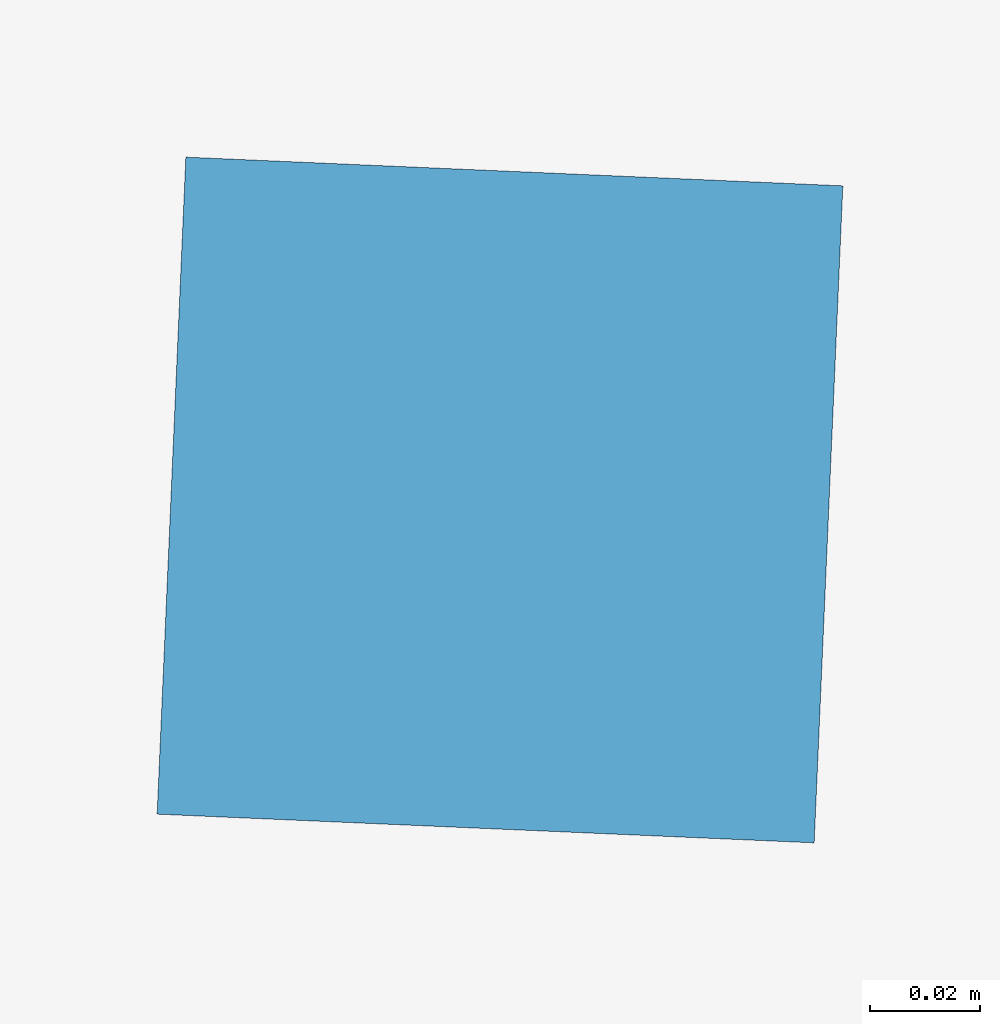
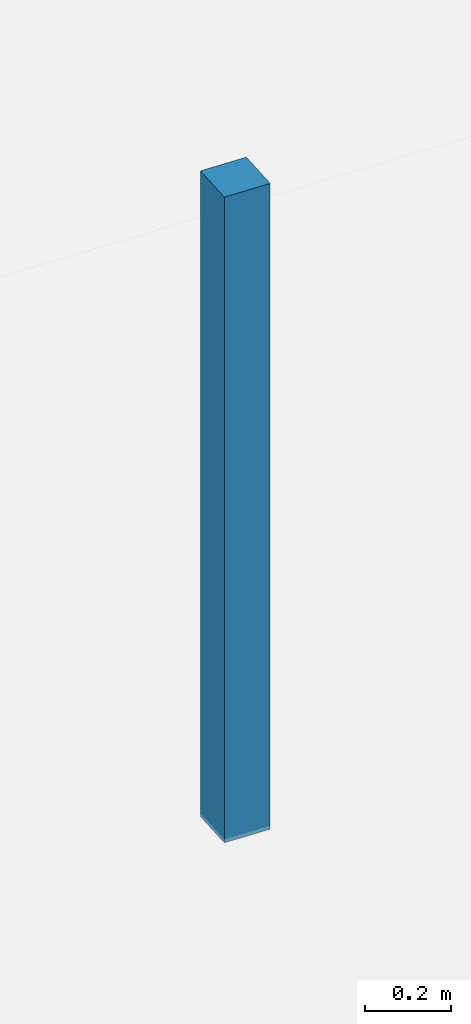
# One storey, part 29 of 33: 1 discrete accessory.
"""IFC4 building model written with IfcOpenShell, lengths in metres."""

from ifc_helpers import new_model, si_unit, direction, frame, origin, origin_2d, place, context, subcontext, project, spatial, rectangle, extrude, source, transform, mapped, material, type_object, element, save


model = new_model("IFC4")

# Units and contexts
model_context = context("Model", 3, precision=1e-05, world=origin(), true_north=direction((0.0, 1.0)))
body_context = subcontext(model_context, "Body", "Model", "MODEL_VIEW")
ifc_project = project(units=[si_unit("LENGTHUNIT", "METRE"), si_unit("AREAUNIT", "SQUARE_METRE"), si_unit("VOLUMEUNIT", "CUBIC_METRE"), si_unit("PLANEANGLEUNIT", "RADIAN"), si_unit("MASSUNIT", "GRAM", prefix="KILO")], contexts=[model_context])

# Site, building, storey
site_placement = place(None, origin())
site = spatial("IfcSite", under=ifc_project, at=site_placement, CompositionType="ELEMENT")
building_placement = place(site_placement, origin())
building = spatial("IfcBuilding", under=site, at=building_placement, Name="Torre Montelarca", CompositionType="ELEMENT")
storey_placement = place(building_placement, frame((0.0, 0.0, 32.800048828125)))
storey = spatial("IfcBuildingStorey", under=building, at=storey_placement, Name="L07", CompositionType="ELEMENT", Elevation=32.800048828125)

# Discrete accessory
ifc_material = material(Name="Galvanized steel suspension hanger", Category="steel")
discrete_accessory_type = type_object("IfcDiscreteAccessoryType", Name="ACC-CEIL-HNG", PredefinedType="BRACKET", material=ifc_material)
shared_shape = source(origin(), body_context, "Body", "SweptSolid", [
    extrude(rectangle(XDim=0.1201171875, YDim=0.1201171875, at=origin_2d()), origin(), (0.0, 0.0, 1.0), 1.830078125),
])
discrete_accessory_placement = place(storey_placement, frame((32.181884765625, 35.937744140625, 2.75), z_axis=(0.0, 0.0, 1.0), x_axis=(-0.999048221582, 0.043619387365, 0.0)))
element("IfcDiscreteAccessory", 1, at=discrete_accessory_placement, inside=storey, type_object=discrete_accessory_type, Name="L07 Suspended Ceiling Hanger Bracket 01", PredefinedType="BRACKET", context=body_context, shape_type="MappedRepresentation", body=[
    mapped(shared_shape, transform((0.0, 0.0, 0.0), scale=1.0)),
])

save(model, "model.ifc")
